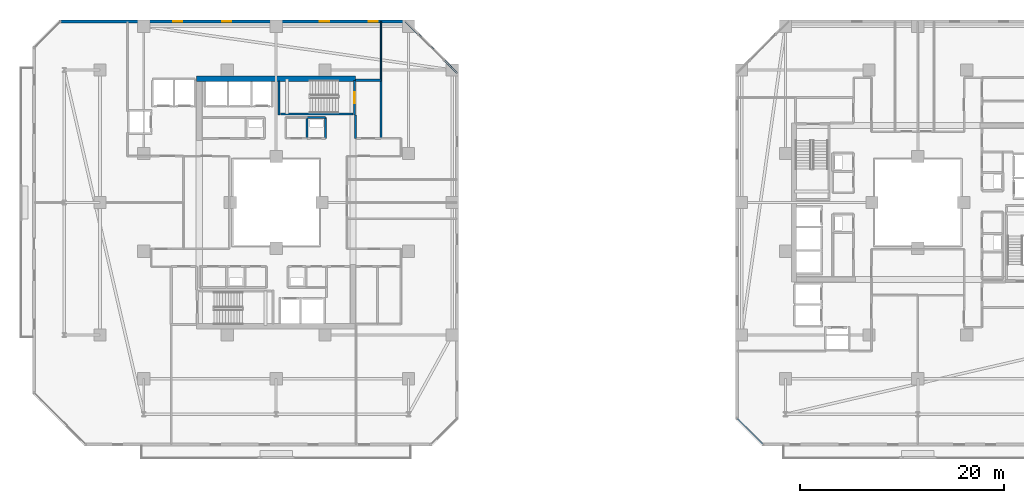
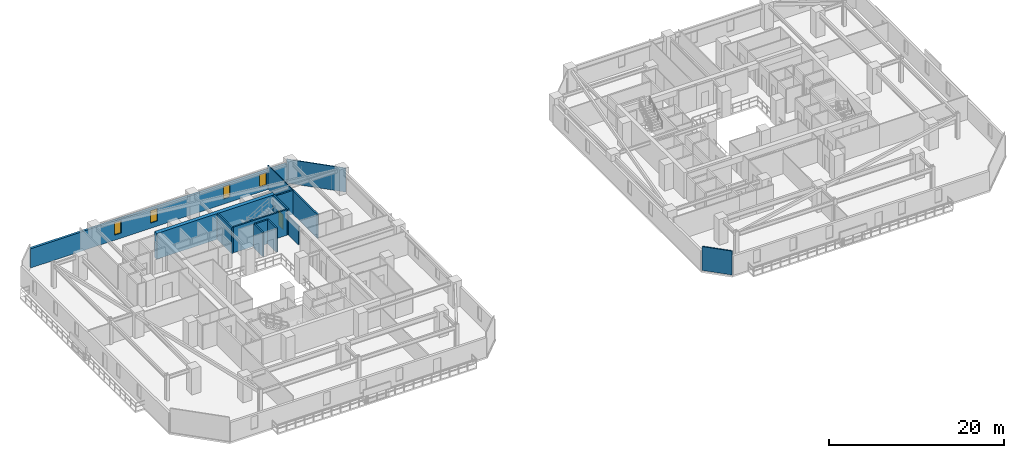
# One storey, part 21 of 33: 14 walls, 4 windows, 1 door, 5 openings.
"""IFC4 building model written with IfcOpenShell, lengths in metres."""

from ifc_helpers import new_model, si_unit, direction, frame, frame_2d, origin, place, context, subcontext, project, spatial, rectangle, extrude, material, layer, layer_set, type_object, element, fill, save


model = new_model("IFC4")

# Units and contexts
model_context = context("Model", 3, precision=1e-05, world=origin(), true_north=direction((0.0, 1.0)))
body_context = subcontext(model_context, "Body", "Model", "MODEL_VIEW")
ifc_project = project(units=[si_unit("LENGTHUNIT", "METRE"), si_unit("AREAUNIT", "SQUARE_METRE"), si_unit("VOLUMEUNIT", "CUBIC_METRE"), si_unit("PLANEANGLEUNIT", "RADIAN"), si_unit("MASSUNIT", "GRAM", prefix="KILO")], contexts=[model_context])

# Site, building, storey
site_placement = place(None, origin())
site = spatial("IfcSite", under=ifc_project, at=site_placement, CompositionType="ELEMENT")
building_placement = place(site_placement, origin())
building = spatial("IfcBuilding", under=site, at=building_placement, Name="Thornwick Lancets Civic Towers", CompositionType="ELEMENT")
storey_placement = place(building_placement, frame((0.0, 0.0, 134.10009765625)))
storey = spatial("IfcBuildingStorey", under=building, at=storey_placement, Name="L35", CompositionType="ELEMENT", Elevation=134.10009765625)

# Walls
ifc_material_1 = material(Name="Concrete blockwork C40/50", Category="masonry")
ifc_layer_1 = layer(ifc_material_1, 0.199951171875, Name="Concrete blockwork C40/50")
ifc_layer_set_1 = layer_set([ifc_layer_1], Name="Concrete blockwork C40/50")
wall_type_1 = type_object("IfcWallType", Name="WALL_COMP_200", PredefinedType="STANDARD", material=ifc_layer_set_1)
wall_1_placement = place(storey_placement, frame((35.800048828125, 33.300048828125, 0.0), z_axis=(0.0, 0.0, 1.0), x_axis=(0.0, 1.0, 0.0)))
element("IfcWall", 1, at=wall_1_placement, inside=storey, type_object=wall_type_1, Name="L35 Partition L35-A-FFLOB2 E2", PredefinedType="STANDARD", context=body_context, shape_type="SweptSolid", body=[
    extrude(rectangle(XDim=5.699951171875, YDim=0.199951171875, at=frame_2d((2.85009765625, 0.0))), origin(), (0.0, 0.0, 1.0), 3.33984375),
])
wall_2_placement = place(storey_placement, frame((35.800048828125, 39.0, 0.0), z_axis=(0.0, 0.0, 1.0), x_axis=(-1.0, 0.0, 0.0)))
element("IfcWall", 2, at=wall_2_placement, inside=storey, type_object=wall_type_1, Name="L35 Partition L35-A-FFLOB2 E3", PredefinedType="STANDARD", context=body_context, shape_type="SweptSolid", body=[
    extrude(rectangle(XDim=2.5, YDim=0.199951171875, at=frame_2d((1.25, 0.0))), origin(), (0.0, 0.0, 1.0), 3.33984375),
])
wall_3_placement = place(storey_placement, frame((33.300048828125, 35.60009765625, 0.0), z_axis=(0.0, 0.0, 1.0), x_axis=(0.0, -1.0, 0.0)))
element("IfcWall", 3, at=wall_3_placement, inside=storey, type_object=wall_type_1, Name="L35 Partition L35-A-FFLOB2 E4", PredefinedType="STANDARD", context=body_context, shape_type="SweptSolid", body=[
    extrude(rectangle(XDim=2.300048828125, YDim=0.199951171875, at=frame_2d((1.14990234375, 0.0))), origin(), (0.0, 0.0, 1.0), 2.544921875),
])
wall_4_placement = place(storey_placement, frame((30.35009765625, 33.300048828125, 0.0), z_axis=(0.0, 0.0, 1.0), x_axis=(0.0, 1.0, 0.0)))
element("IfcWall", 4, at=wall_4_placement, inside=storey, type_object=wall_type_1, Name="L35 Partition L35-A-RISER2 E2", PredefinedType="STANDARD", context=body_context, shape_type="SweptSolid", body=[
    extrude(rectangle(XDim=2.050048828125, YDim=0.199951171875, at=frame_2d((1.02490234375, 0.0))), origin(), (0.0, 0.0, 1.0), 3.33984375),
])
wall_5_placement = place(storey_placement, frame((30.35009765625, 35.35009765625, 0.0), z_axis=(0.0, 0.0, 1.0), x_axis=(-1.0, 0.0, 0.0)))
element("IfcWall", 5, at=wall_5_placement, inside=storey, type_object=wall_type_1, Name="L35 Partition L35-A-RISER2 E3", PredefinedType="STANDARD", context=body_context, shape_type="SweptSolid", body=[
    extrude(rectangle(XDim=1.800048828125, YDim=0.199951171875, at=frame_2d((0.89990234375, 0.0))), origin(), (0.0, 0.0, 1.0), 3.33984375),
])
wall_6_placement = place(storey_placement, frame((28.550048828125, 35.35009765625, 0.0), z_axis=(0.0, 0.0, 1.0), x_axis=(0.0, -1.0, 0.0)))
element("IfcWall", 6, at=wall_6_placement, inside=storey, type_object=wall_type_1, Name="L35 Partition L35-A-RISER2 E4", PredefinedType="STANDARD", context=body_context, shape_type="SweptSolid", body=[
    extrude(rectangle(XDim=2.050048828125, YDim=0.199951171875, at=frame_2d((1.02490234375, 0.0))), origin(), (0.0, 0.0, 1.0), 3.33984375),
])
ifc_material_2 = material(Name="Concrete C50/60", Category="concrete")
ifc_layer_2 = layer(ifc_material_2, 0.5, Name="Concrete C50/60")
ifc_layer_set_2 = layer_set([ifc_layer_2], Name="Concrete C50/60")
wall_type_2 = type_object("IfcWallType", Name="WALL_CORE_500", PredefinedType="SHEAR", material=ifc_layer_set_2)
wall_7_placement = place(storey_placement, frame((17.699951171875, 39.14990234375, 0.0), z_axis=(0.0, 0.0, 1.0), x_axis=(1.0, 0.0, 0.0)))
element("IfcWall", 7, at=wall_7_placement, inside=storey, type_object=wall_type_2, Name="L35 Split Core A2 Shear Wall N", PredefinedType="SHEAR", context=body_context, shape_type="SweptSolid", body=[
    extrude(rectangle(XDim=15.60009765625, YDim=0.5, at=frame_2d((7.800048828125, 0.0))), origin(), (0.0, 0.0, 1.0), 3.599853515625),
])

# Wall, openings, windows
ifc_material_3 = material(Name="Insulated russet terracotta rainscreen on concrete C40/50", Category="masonry")
ifc_layer_3 = layer(ifc_material_3, 0.300048828125, Name="Insulated russet terracotta rainscreen on concrete C40/50")
ifc_layer_set_3 = layer_set([ifc_layer_3], Name="Insulated russet terracotta rainscreen on concrete C40/50")
wall_type_3 = type_object("IfcWallType", Name="WALL_EXT_RUSSET_300", PredefinedType="STANDARD", material=ifc_layer_set_3)
wall_8_placement = place(storey_placement, frame((38.199462890625, 44.75634765625, 0.0), z_axis=(0.0, 0.0, 1.0), x_axis=(-0.999999969988, 0.000244999128, 0.0)))
wall_8 = element("IfcWall", 8, at=wall_8_placement, inside=storey, type_object=wall_type_3, Name="L35 Tower A Terracotta Facade Wall E4", PredefinedType="STANDARD", context=body_context, shape_type="SweptSolid", body=[
    extrude(rectangle(XDim=33.880859375, YDim=0.300048828125, at=frame_2d((16.9404296875, 0.0))), origin(), (0.0, 0.0, 1.0), 2.699951171875),
])
opening_1_placement = place(wall_8_placement, frame((2.699951171875, 0.0, 0.719970703125)))
opening_1 = element("IfcOpeningElement", 9, at=opening_1_placement, cuts=wall_8, Name="Opening WL-01", PredefinedType="OPENING", context=body_context, shape_type="SweptSolid", body=[
    extrude(rectangle(XDim=0.89990234375, YDim=1.75, at=frame_2d((0.449951171875, 0.875))), frame((0.0, 0.16015625, 0.0), z_axis=(0.0, -1.0, 0.0), x_axis=(1.0, 0.0, 0.0)), (0.0, 0.0, 1.0), 0.320068359375),
])
opening_2_placement = place(wall_8_placement, frame((7.5, 0.0, 0.719970703125)))
opening_2 = element("IfcOpeningElement", 10, at=opening_2_placement, cuts=wall_8, Name="Opening WL-01", PredefinedType="OPENING", context=body_context, shape_type="SweptSolid", body=[
    extrude(rectangle(XDim=0.89990234375, YDim=1.75, at=frame_2d((0.449951171875, 0.875))), frame((0.0, 0.16015625, 0.0), z_axis=(0.0, -1.0, 0.0), x_axis=(1.0, 0.0, 0.0)), (0.0, 0.0, 1.0), 0.320068359375),
])
opening_3_placement = place(wall_8_placement, frame((17.10009765625, 0.0, 0.719970703125)))
opening_3 = element("IfcOpeningElement", 11, at=opening_3_placement, cuts=wall_8, Name="Opening WL-01", PredefinedType="OPENING", context=body_context, shape_type="SweptSolid", body=[
    extrude(rectangle(XDim=0.89990234375, YDim=1.75, at=frame_2d((0.449951171875, 0.875))), frame((0.0, 0.16015625, 0.0), z_axis=(0.0, -1.0, 0.0), x_axis=(1.0, 0.0, 0.0)), (0.0, 0.0, 1.0), 0.320068359375),
])
opening_4_placement = place(wall_8_placement, frame((21.89990234375, 0.0, 0.719970703125)))
opening_4 = element("IfcOpeningElement", 12, at=opening_4_placement, cuts=wall_8, Name="Opening WL-01", PredefinedType="OPENING", context=body_context, shape_type="SweptSolid", body=[
    extrude(rectangle(XDim=0.89990234375, YDim=1.75, at=frame_2d((0.449951171875, 0.875))), frame((0.0, 0.16015625, 0.0), z_axis=(0.0, -1.0, 0.0), x_axis=(1.0, 0.0, 0.0)), (0.0, 0.0, 1.0), 0.320068359375),
])
ifc_material_4 = material(Name="Clear low-e double glazing in bronze frame", Category="glass")
window_type = type_object("IfcWindowType", Name="WIN_LANCET_900", PartitioningType="SINGLE_PANEL", PredefinedType="WINDOW", material=ifc_material_4)
window_1_placement = place(opening_1_placement, origin())
window_1 = element("IfcWindow", 13, at=window_1_placement, inside=storey, type_object=window_type, Name="L35 Tower A Staggered Lancet Window E4-1", OverallHeight=1.75, OverallWidth=0.89990234375, PartitioningType="SINGLE_PANEL", PredefinedType="WINDOW", context=body_context, shape_type="SweptSolid", body=[
    extrude(rectangle(XDim=0.89990234375, YDim=1.75, at=frame_2d((0.449951171875, 0.875))), frame((0.0, 0.030029296875, 0.0), z_axis=(0.0, -1.0, 0.0), x_axis=(1.0, 0.0, 0.0)), (0.0, 0.0, 1.0), 0.06005859375),
])
fill(opening_1, window_1)
window_2_placement = place(opening_2_placement, origin())
window_2 = element("IfcWindow", 14, at=window_2_placement, inside=storey, type_object=window_type, Name="L35 Tower A Staggered Lancet Window E4-2", OverallHeight=1.75, OverallWidth=0.89990234375, PartitioningType="SINGLE_PANEL", PredefinedType="WINDOW", context=body_context, shape_type="SweptSolid", body=[
    extrude(rectangle(XDim=0.89990234375, YDim=1.75, at=frame_2d((0.449951171875, 0.875))), frame((0.0, 0.030029296875, 0.0), z_axis=(0.0, -1.0, 0.0), x_axis=(1.0, 0.0, 0.0)), (0.0, 0.0, 1.0), 0.06005859375),
])
fill(opening_2, window_2)
window_3_placement = place(opening_3_placement, origin())
window_3 = element("IfcWindow", 15, at=window_3_placement, inside=storey, type_object=window_type, Name="L35 Tower A Staggered Lancet Window E4-3", OverallHeight=1.75, OverallWidth=0.89990234375, PartitioningType="SINGLE_PANEL", PredefinedType="WINDOW", context=body_context, shape_type="SweptSolid", body=[
    extrude(rectangle(XDim=0.89990234375, YDim=1.75, at=frame_2d((0.449951171875, 0.875))), frame((0.0, 0.030029296875, 0.0), z_axis=(0.0, -1.0, 0.0), x_axis=(1.0, 0.0, 0.0)), (0.0, 0.0, 1.0), 0.06005859375),
])
fill(opening_3, window_3)
window_4_placement = place(opening_4_placement, origin())
window_4 = element("IfcWindow", 16, at=window_4_placement, inside=storey, type_object=window_type, Name="L35 Tower A Staggered Lancet Window E4-4", OverallHeight=1.75, OverallWidth=0.89990234375, PartitioningType="SINGLE_PANEL", PredefinedType="WINDOW", context=body_context, shape_type="SweptSolid", body=[
    extrude(rectangle(XDim=0.89990234375, YDim=1.75, at=frame_2d((0.449951171875, 0.875))), frame((0.0, 0.030029296875, 0.0), z_axis=(0.0, -1.0, 0.0), x_axis=(1.0, 0.0, 0.0)), (0.0, 0.0, 1.0), 0.06005859375),
])
fill(opening_4, window_4)

# Walls
ifc_material_5 = material(Name="Acoustic gypsum board partition")
ifc_layer_4 = layer(ifc_material_5, 0.1201171875, Name="Acoustic gypsum board partition")
ifc_layer_set_4 = layer_set([ifc_layer_4], Name="Acoustic gypsum board partition")
wall_type_4 = type_object("IfcWallType", Name="WALL_PART_120", PredefinedType="PARTITIONING", material=ifc_layer_set_4)
wall_9_placement = place(storey_placement, frame((35.800048828125, 39.0, 0.0), z_axis=(0.0, 0.0, 1.0), x_axis=(0.0, 1.0, 0.0)))
element("IfcWall", 17, at=wall_9_placement, inside=storey, type_object=wall_type_4, Name="L35 Partition L35-A-E4 E6", PredefinedType="PARTITIONING", context=body_context, shape_type="SweptSolid", body=[
    extrude(rectangle(XDim=5.719970703125, YDim=0.1201171875, at=frame_2d((2.85986328125, 0.0))), origin(), (0.0, 0.0, 1.0), 3.33984375),
])
wall_10_placement = place(storey_placement, frame((38.2333984375, 44.719970703125, 0.0), z_axis=(0.0, 0.0, 1.0), x_axis=(0.707106781187, -0.707106781187, 0.0)))
element("IfcWall", 18, at=wall_10_placement, inside=storey, type_object=wall_type_4, Name="L35 Partition L35-A-E4 E8", PredefinedType="PARTITIONING", context=body_context, shape_type="SweptSolid", body=[
    extrude(rectangle(XDim=7.052001953125, YDim=0.1201171875, at=frame_2d((3.52587890625, 0.0))), origin(), (0.0, 0.0, 1.0), 3.33984375),
])
ifc_material_6 = material(Name="Twin-stud acoustic gypsum board")
ifc_layer_5 = layer(ifc_material_6, 0.14990234375, Name="Twin-stud acoustic gypsum board")
ifc_layer_set_5 = layer_set([ifc_layer_5], Name="Twin-stud acoustic gypsum board")
wall_type_5 = type_object("IfcWallType", Name="WALL_PART_150", PredefinedType="PARTITIONING", material=ifc_layer_set_5)
wall_11_placement = place(storey_placement, frame((73.274658203125, 3.280029296875, 0.0), z_axis=(0.0, 0.0, 1.0), x_axis=(-0.707106781187, 0.707106781187, 0.0)))
element("IfcWall", 19, at=wall_11_placement, inside=storey, type_object=wall_type_5, Name="L35 Partition L35-B-W2 E5", PredefinedType="PARTITIONING", context=body_context, shape_type="SweptSolid", body=[
    extrude(rectangle(XDim=3.52783203125, YDim=0.14990234375, at=frame_2d((1.763916015625, 0.0))), origin(), (0.0, 0.0, 1.0), 3.33984375),
])

# Wall, opening, door
ifc_material_7 = material(Name="Concrete C40/50", Category="concrete")
ifc_layer_6 = layer(ifc_material_7, 0.199951171875, Name="Concrete C40/50")
ifc_layer_set_6 = layer_set([ifc_layer_6], Name="Concrete C40/50")
wall_type_6 = type_object("IfcWallType", Name="WALL_SHAFT_200", PredefinedType="SHEAR", material=ifc_layer_set_6)
wall_12_placement = place(storey_placement, frame((33.199951171875, 38.949951171875, 0.0), z_axis=(0.0, 0.0, 1.0), x_axis=(0.0, -1.0, 0.0)))
wall_12 = element("IfcWall", 20, at=wall_12_placement, inside=storey, type_object=wall_type_6, Name="L35 ST-A2 Fire Stair Core Wall NEAR", PredefinedType="SHEAR", context=body_context, shape_type="SweptSolid", body=[
    extrude(rectangle(XDim=3.349853515625, YDim=0.199951171875, at=frame_2d((1.6748046875, 0.0))), origin(), (0.0, 0.0, 1.0), 3.599853515625),
])
opening_5_placement = place(wall_12_placement, frame((1.125, 0.0, 0.0)))
opening_5 = element("IfcOpeningElement", 21, at=opening_5_placement, cuts=wall_12, Name="Opening D-ST-A2-L35", PredefinedType="OPENING", context=body_context, shape_type="SweptSolid", body=[
    extrude(rectangle(XDim=1.10009765625, YDim=2.10009765625, at=frame_2d((0.550048828125, 1.050048828125))), frame((0.0, 0.10986328125, 0.0), z_axis=(0.0, -1.0, 0.0), x_axis=(1.0, 0.0, 0.0)), (0.0, 0.0, 1.0), 0.219970703125),
])
ifc_material_8 = material(Name="Fire-resisting steel and hardwood", Category="steel")
door_type = type_object("IfcDoorType", Name="DOOR_STAIR_FD60", OperationType="NOTDEFINED", PredefinedType="DOOR", material=ifc_material_8)
door_placement = place(opening_5_placement, origin())
door = element("IfcDoor", 22, at=door_placement, inside=storey, type_object=door_type, Name="L35 ST-A2 Exit Stair Door", OperationType="SINGLE_SWING_LEFT", OverallHeight=2.10009765625, OverallWidth=1.10009765625, PredefinedType="DOOR", context=body_context, shape_type="SweptSolid", body=[
    extrude(rectangle(XDim=1.10009765625, YDim=2.10009765625, at=frame_2d((0.550048828125, 1.050048828125))), frame((0.0, 0.02490234375, 0.0), z_axis=(0.0, -1.0, 0.0), x_axis=(1.0, 0.0, 0.0)), (0.0, 0.0, 1.0), 0.050048828125),
])
fill(opening_5, door)

# Walls
wall_13_placement = place(storey_placement, frame((25.800048828125, 35.60009765625, 0.0), z_axis=(0.0, 0.0, 1.0), x_axis=(0.0, 1.0, 0.0)))
element("IfcWall", 23, at=wall_13_placement, inside=storey, type_object=wall_type_6, Name="L35 ST-A2 Fire Stair Core Wall FAR", PredefinedType="SHEAR", context=body_context, shape_type="SweptSolid", body=[
    extrude(rectangle(XDim=3.349853515625, YDim=0.199951171875, at=frame_2d((1.6748046875, 0.0))), origin(), (0.0, 0.0, 1.0), 3.599853515625),
])
wall_14_placement = place(storey_placement, frame((25.949951171875, 35.702880859375, 0.0), z_axis=(0.0, 0.0, 1.0), x_axis=(1.0, 0.0, 0.0)))
element("IfcWall", 24, at=wall_14_placement, inside=storey, type_object=wall_type_6, Name="L35 ST-A2 Fire Stair Core Wall RIGHT", PredefinedType="SHEAR", context=body_context, shape_type="SweptSolid", body=[
    extrude(rectangle(XDim=7.10009765625, YDim=0.199951171875, at=frame_2d((3.550048828125, 0.0))), origin(), (0.0, 0.0, 1.0), 3.599853515625),
])

save(model, "model.ifc")
